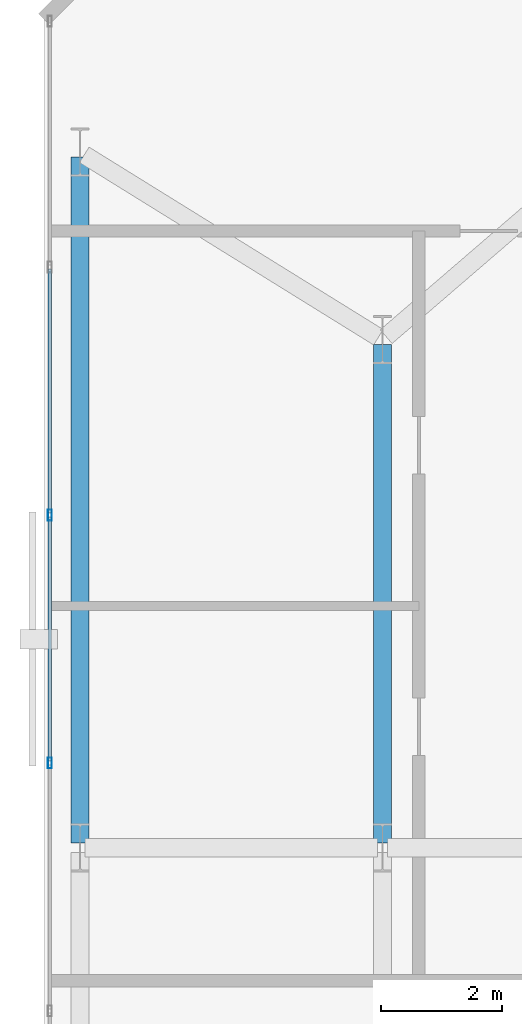
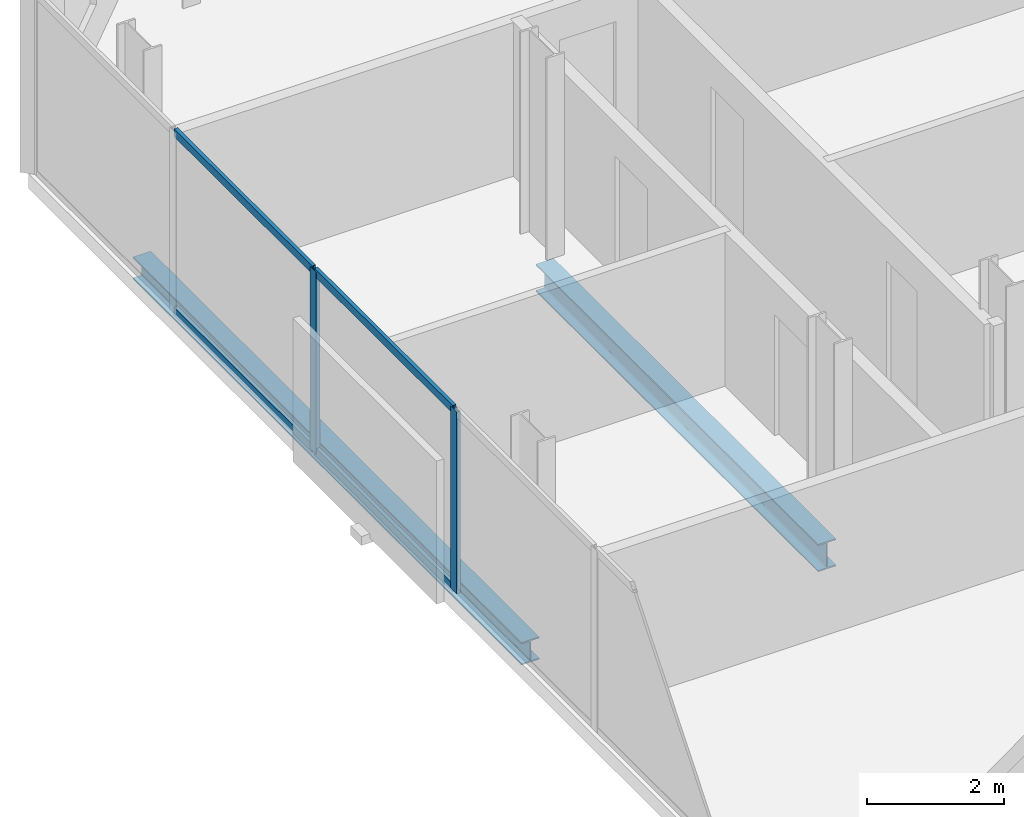
# One storey, part 18 of 33: 6 members, 2 beams, 1 element without a shape of its own.
"""IFC4 building model written with IfcOpenShell, lengths in metres."""

import ifcopenshell
import ifcopenshell.guid

model = None  # the IFC model being written
_history = None  # IfcOwnerHistory: only IFC2X3 demands one
_inside = {}  # id of a spatial element -> (the spatial element, [elements in it])
_under = {}  # id of a project, library or spatial element -> (it, [spatial elements below it])
_declared = {}  # id of a project -> (the project, [libraries it declares])
_typed = {}  # id of a type object -> (the type object, [elements of that type])
_made_of = {}  # id of a material, layer set ... -> (it, [elements and type objects made of it])


def new_model(schema):
    """Start an empty IFC model of exactly this schema.

    Asked for "IFC4X3", IfcOpenShell would pick the latest addendum, in which some entities
    have other attributes; the version numbers below select the first issue.
    IFC2X3 requires an IfcOwnerHistory on every rooted entity: one is made here for all.
    """
    global model, _history
    if schema == "IFC4X3":
        model = ifcopenshell.file(schema_version=(4, 3, 0, 0))
    else:
        model = ifcopenshell.file(schema=schema)
    _inside.clear()
    _under.clear()
    _declared.clear()
    _typed.clear()
    _made_of.clear()
    _history = None
    if model.schema == "IFC2X3":
        org = make("IfcOrganization", Name="unknown")
        user = make(
            "IfcPersonAndOrganization",
            ThePerson=make("IfcPerson", FamilyName="unknown"),
            TheOrganization=org,
        )
        app = make(
            "IfcApplication",
            ApplicationDeveloper=org,
            Version="unknown",
            ApplicationFullName="unknown",
            ApplicationIdentifier="unknown",
        )
        _history = make(
            "IfcOwnerHistory",
            OwningUser=user,
            OwningApplication=app,
            ChangeAction="ADDED",
            CreationDate=0,
        )
    return model


def make(cls, **values):
    """One entity of the class cls with the attributes given. An attribute that is None is left unset."""
    return model.create_entity(
        cls, **{name: value for name, value in values.items() if value is not None}
    )


def rooted(cls, **values):
    """An entity with a GlobalId (a new one), such as an element, a storey or a relation."""
    return make(cls, GlobalId=ifcopenshell.guid.new(), OwnerHistory=_history, **values)


def si_unit(unit_type, name, prefix=None):
    """IfcSIUnit, for example si_unit("LENGTHUNIT", "METRE", prefix="MILLI")."""
    return make("IfcSIUnit", UnitType=unit_type, Prefix=prefix, Name=name)


def assignment(units):
    """IfcUnitAssignment: the units of a project."""
    return None if units is None else make("IfcUnitAssignment", Units=units)


def point(xyz):
    """IfcCartesianPoint."""
    return None if xyz is None else make("IfcCartesianPoint", Coordinates=xyz)


def direction(xyz):
    """IfcDirection."""
    return None if xyz is None else make("IfcDirection", DirectionRatios=xyz)


def frame(location, z_axis=None, x_axis=None):
    """IfcAxis2Placement3D, a coordinate frame: its origin and axes. An axis left out is left unset."""
    return make(
        "IfcAxis2Placement3D",
        Location=point(location),
        Axis=direction(z_axis),
        RefDirection=direction(x_axis),
    )


def frame_2d(location, x_axis=None):
    """IfcAxis2Placement2D, a coordinate frame in the plane: its origin and x axis."""
    return make(
        "IfcAxis2Placement2D", Location=point(location), RefDirection=direction(x_axis)
    )


def origin():
    """The frame at (0, 0, 0) with its axes left unset."""
    return frame((0.0, 0.0, 0.0))


def origin_2d():
    """The frame at (0, 0) in the plane with its x axis left unset."""
    return frame_2d((0.0, 0.0))


def place(relative_to, where):
    """IfcLocalPlacement: puts the frame where relative to a parent placement (None: the world)."""
    return make(
        "IfcLocalPlacement", PlacementRelTo=relative_to, RelativePlacement=where
    )


def context(
    kind, dimensions, precision=None, world=None, true_north=None, identifier=None
):
    """IfcGeometricRepresentationContext, for example the 3D "Model" context."""
    return make(
        "IfcGeometricRepresentationContext",
        ContextIdentifier=identifier,
        ContextType=kind,
        CoordinateSpaceDimension=dimensions,
        Precision=precision,
        WorldCoordinateSystem=world,
        TrueNorth=true_north,
    )


def subcontext(parent, identifier, kind, view, scale=None):
    """IfcGeometricRepresentationSubContext, for example "Body" below "Model"."""
    return make(
        "IfcGeometricRepresentationSubContext",
        ContextIdentifier=identifier,
        ContextType=kind,
        ParentContext=parent,
        TargetScale=scale,
        TargetView=view,
    )


def project(units=None, contexts=None):
    """IfcProject with its units and contexts."""
    return rooted(
        "IfcProject",
        Name="project",
        RepresentationContexts=contexts,
        UnitsInContext=assignment(units),
    )


def spatial(cls, under=None, at=None, **own):
    """A site, building, storey or space (cls), placed at a placement, below another one or the project."""
    s = rooted(cls, ObjectPlacement=at, **own)
    if under is not None:
        _under.setdefault(under.id(), (under, []))[1].append(s)
    return s


def profile(cls, at=None, kind="AREA", **sizes):
    """A parametric profile (cls). Its sizes go by their IFC names, for example OverallWidth=200.0."""
    return make(cls, ProfileType=kind, Position=at, **sizes)


def hollow_rectangle(**sizes):
    """IfcRectangleHollowProfileDef."""
    return profile("IfcRectangleHollowProfileDef", **sizes)


def i_section(**sizes):
    """IfcIShapeProfileDef."""
    return profile("IfcIShapeProfileDef", **sizes)


def extrude(swept, where, along, depth):
    """IfcExtrudedAreaSolid: the profile swept, set in the frame where, extruded along a direction by depth."""
    return make(
        "IfcExtrudedAreaSolid",
        SweptArea=swept,
        Position=where,
        ExtrudedDirection=direction(along),
        Depth=depth,
    )


def shape(context_of_items, identifier, shape_type, items):
    """IfcShapeRepresentation: the items that make up one representation, for example the "Body"."""
    return make(
        "IfcShapeRepresentation",
        ContextOfItems=context_of_items,
        RepresentationIdentifier=identifier,
        RepresentationType=shape_type,
        Items=items,
    )


def material(Name=None, Category=None):
    """IfcMaterial."""
    return make("IfcMaterial", Name=Name, Category=Category)


def layer(
    of_material, thickness, ventilated=None, Name=None, Category=None, Priority=None
):
    """IfcMaterialLayer: one layer of a wall or slab, of a material (None: an air gap)."""
    return make(
        "IfcMaterialLayer",
        Material=of_material,
        LayerThickness=thickness,
        IsVentilated=ventilated,
        Name=Name,
        Category=Category,
        Priority=Priority,
    )


def layer_set(layers, Name=None):
    """IfcMaterialLayerSet."""
    return make("IfcMaterialLayerSet", MaterialLayers=layers, LayerSetName=Name)


def material_profile(
    of_material, cross_section, Name=None, Category=None, Priority=None
):
    """IfcMaterialProfile: a cross section and its material."""
    return make(
        "IfcMaterialProfile",
        Name=Name,
        Material=of_material,
        Profile=cross_section,
        Priority=Priority,
        Category=Category,
    )


def profile_set(profiles, Name=None, composite=None):
    """IfcMaterialProfileSet."""
    return make(
        "IfcMaterialProfileSet",
        Name=Name,
        MaterialProfiles=profiles,
        CompositeProfile=composite,
    )


def made_of(thing, what):
    """Note that an element or type object is made of a material, layer set ...; save() writes the relation."""
    if what is not None:
        _made_of.setdefault(what.id(), (what, []))[1].append(thing)
    return thing


def type_object(cls, material=None, **own):
    """A type object (cls), such as IfcWallType, which elements share."""
    return made_of(rooted(cls, **own), material)


def element(
    cls,
    number,
    at=None,
    inside=None,
    cuts=None,
    type_object=None,
    material=None,
    context=None,
    identifier="Body",
    shape_type=None,
    held_by="IfcProductDefinitionShape",
    body=None,
    shapes=None,
    **own,
):
    """One element of the class cls, such as IfcWall. Its Tag is "e" and its number.

    at: its placement. inside: the storey or other place that contains it. cuts: it is an
    opening in that element (IfcRelVoidsElement). A single representation is given by context,
    identifier, shape_type and body (its items); several are given by shapes. held_by: the class
    of the entity that holds the representations. save() writes the other relations.
    """
    e = rooted(cls, Tag="e%d" % number, ObjectPlacement=at, **own)
    if body is not None:
        shapes = [shape(context, identifier, shape_type, body)]
    if shapes is not None:
        e.Representation = make(held_by, Representations=shapes)
    if inside is not None:
        _inside.setdefault(inside.id(), (inside, []))[1].append(e)
    if cuts is not None:
        rooted(
            "IfcRelVoidsElement", RelatingBuildingElement=cuts, RelatedOpeningElement=e
        )
    if type_object is not None:
        _typed.setdefault(type_object.id(), (type_object, []))[1].append(e)
    return made_of(e, material)


def aggregate(whole, parts):
    """IfcRelAggregates: a whole, such as a stair, and the parts it consists of."""
    return rooted("IfcRelAggregates", RelatingObject=whole, RelatedObjects=parts)


def save(model, path):
    """Write the relations noted so far, then the file.

    IfcRelAggregates (storeys below a building ...), IfcRelContainedInSpatialStructure (elements
    in a storey), IfcRelDefinesByType, IfcRelAssociatesMaterial and IfcRelDeclares: one each for
    every whole, place, type object, material and project.
    """
    for whole, parts in _under.values():
        aggregate(whole, parts)
    for where, things in _inside.values():
        rooted(
            "IfcRelContainedInSpatialStructure",
            RelatedElements=things,
            RelatingStructure=where,
        )
    for kind, things in _typed.values():
        rooted("IfcRelDefinesByType", RelatedObjects=things, RelatingType=kind)
    for what, things in _made_of.values():
        rooted("IfcRelAssociatesMaterial", RelatedObjects=things, RelatingMaterial=what)
    for by, libraries in _declared.values():
        rooted("IfcRelDeclares", RelatingContext=by, RelatedDefinitions=libraries)
    model.write(path)


model = new_model("IFC4")

# Units and contexts
model_context = context("Model", 3, precision=1e-05, world=origin(), true_north=direction((0.0, 1.0)))
body_context = subcontext(model_context, "Body", "Model", "MODEL_VIEW")
ifc_project = project(units=[si_unit("LENGTHUNIT", "METRE"), si_unit("AREAUNIT", "SQUARE_METRE"), si_unit("VOLUMEUNIT", "CUBIC_METRE"), si_unit("PLANEANGLEUNIT", "RADIAN"), si_unit("MASSUNIT", "GRAM", prefix="KILO")], contexts=[model_context])

# Site, building, storey
site_placement = place(None, origin())
site = spatial("IfcSite", under=ifc_project, at=site_placement, CompositionType="ELEMENT")
building_placement = place(site_placement, origin())
building = spatial("IfcBuilding", under=site, at=building_placement, Name="Catumbela Crestline Tower", CompositionType="ELEMENT")
storey_placement = place(building_placement, frame((0.0, 0.0, 76.2)))
storey = spatial("IfcBuildingStorey", under=building, at=storey_placement, Name="L19", CompositionType="ELEMENT", Elevation=76.2)

# Beam
ifc_material_1 = material(Name="Structural steel S355J2", Category="steel")
ifc_material_profile_1 = material_profile(ifc_material_1, i_section(OverallWidth=0.3, OverallDepth=0.49, WebThickness=0.012, FlangeThickness=0.023, FilletRadius=0.027, at=origin_2d()), Name="HEA 500")
ifc_profile_set_1 = profile_set([ifc_material_profile_1], Name="Structural steel S355J2")
beam_type_1 = type_object("IfcBeamType", Name="BG-HEA500", PredefinedType="BEAM", material=ifc_profile_set_1)
beam_1_placement = place(storey_placement, frame((5.6, 30.88, -0.505), z_axis=(0.0, 1.0, 0.0), x_axis=(-1.0, 0.0, 0.0)))
element("IfcBeam", 1, at=beam_1_placement, inside=storey, type_object=beam_type_1, Name="L19 Beam BM-L19-SN28", PredefinedType="BEAM", context=body_context, shape_type="SweptSolid", body=[
    extrude(i_section(OverallWidth=0.3, OverallDepth=0.49, WebThickness=0.012, FlangeThickness=0.023, FilletRadius=0.027, at=origin_2d()), origin(), (0.0, 0.0, 1.0), 8.24),
])

# Curtain wall, members
ifc_material_2 = material(Name="Aluminium alloy AW-6060-T66", Category="aluminium")
ifc_layer = layer(ifc_material_2, 0.18, Name="Aluminium alloy AW-6060-T66")
ifc_layer_set = layer_set([ifc_layer], Name="Aluminium alloy AW-6060-T66")
curtain_wall_type = type_object("IfcCurtainWallType", Name="CWU-Z1", PredefinedType="USERDEFINED", material=ifc_layer_set)
curtain_wall_placement = place(storey_placement, origin())
curtain_wall = element("IfcCurtainWall", 2, at=curtain_wall_placement, inside=storey, type_object=curtain_wall_type, Name="L19 Unitised Curtain Wall CW-L19-E9S1", ObjectType="UNITISED", PredefinedType="USERDEFINED")
ifc_material_profile_2 = material_profile(ifc_material_2, hollow_rectangle(XDim=0.065, YDim=0.18, WallThickness=0.004, at=origin_2d()), Name="ALU 180x65x4")
ifc_profile_set_2 = profile_set([ifc_material_profile_2], Name="Aluminium alloy AW-6060-T66")
member_type_1 = type_object("IfcMemberType", Name="MUL-180X65", PredefinedType="MULLION", material=ifc_profile_set_2)
member_1_placement = place(storey_placement, frame((0.1, 36.3, 0.0), z_axis=(0.0, 0.0, 1.0), x_axis=(1.0, 0.0, 0.0)))
member_1 = element("IfcMember", 3, at=member_1_placement, type_object=member_type_1, Name="CWU-Z1 mullion 3", PredefinedType="MULLION", context=body_context, shape_type="SweptSolid", body=[
    extrude(hollow_rectangle(XDim=0.065, YDim=0.18, WallThickness=0.004, at=origin_2d()), origin(), (0.0, 0.0, 1.0), 3.24),
])
member_2_placement = place(storey_placement, frame((0.1, 32.2, 0.0), z_axis=(0.0, 0.0, 1.0), x_axis=(1.0, 0.0, 0.0)))
member_2 = element("IfcMember", 4, at=member_2_placement, type_object=member_type_1, Name="CWU-Z1 mullion 4", PredefinedType="MULLION", context=body_context, shape_type="SweptSolid", body=[
    extrude(hollow_rectangle(XDim=0.065, YDim=0.18, WallThickness=0.004, at=origin_2d()), origin(), (0.0, 0.0, 1.0), 3.24),
])

# Beam
ifc_material_profile_3 = material_profile(ifc_material_1, i_section(OverallWidth=0.3, OverallDepth=0.4, WebThickness=0.0135, FlangeThickness=0.024, FilletRadius=0.027, at=origin_2d()), Name="HEB 400")
ifc_profile_set_3 = profile_set([ifc_material_profile_3], Name="Structural steel S355J2")
beam_type_2 = type_object("IfcBeamType", Name="BS-HEB400", PredefinedType="SPANDREL", material=ifc_profile_set_3)
beam_2_placement = place(storey_placement, frame((0.6, 30.88, -0.46), z_axis=(0.0, 1.0, 0.0), x_axis=(-1.0, 0.0, 0.0)))
element("IfcBeam", 5, at=beam_2_placement, inside=storey, type_object=beam_type_2, Name="L19 Spandrel SP-L19-SN26", PredefinedType="SPANDREL", context=body_context, shape_type="SweptSolid", body=[
    extrude(i_section(OverallWidth=0.3, OverallDepth=0.4, WebThickness=0.0135, FlangeThickness=0.024, FilletRadius=0.027, at=origin_2d()), origin(), (0.0, 0.0, 1.0), 11.34),
])

# Member
ifc_material_profile_4 = material_profile(ifc_material_2, hollow_rectangle(XDim=0.06, YDim=0.14, WallThickness=0.004, at=origin_2d()), Name="ALU 140x60x4")
ifc_profile_set_4 = profile_set([ifc_material_profile_4], Name="Aluminium alloy AW-6060-T66")
member_type_2 = type_object("IfcMemberType", Name="TRN-140X60", PredefinedType="USERDEFINED", material=ifc_profile_set_4)
member_3_placement = place(storey_placement, frame((0.1, 40.3675, 0.03), z_axis=(0.0, -1.0, 0.0), x_axis=(1.0, 0.0, 0.0)))
member_3 = element("IfcMember", 6, at=member_3_placement, type_object=member_type_2, Name="CWU-Z1 transom 2.1", ObjectType="TRANSOM", PredefinedType="USERDEFINED", context=body_context, shape_type="SweptSolid", body=[
    extrude(hollow_rectangle(XDim=0.06, YDim=0.14, WallThickness=0.004, at=origin_2d()), origin(), (0.0, 0.0, 1.0), 4.035),
])

member_4_placement = place(storey_placement, frame((0.1, 40.3675, 3.21), z_axis=(0.0, -1.0, 0.0), x_axis=(1.0, 0.0, 0.0)))
member_4 = element("IfcMember", 7, at=member_4_placement, type_object=member_type_2, Name="CWU-Z1 transom 2.2", ObjectType="TRANSOM", PredefinedType="USERDEFINED", context=body_context, shape_type="SweptSolid", body=[
    extrude(hollow_rectangle(XDim=0.06, YDim=0.14, WallThickness=0.004, at=origin_2d()), origin(), (0.0, 0.0, 1.0), 4.035),
])

member_5_placement = place(storey_placement, frame((0.1, 36.2675, 0.03), z_axis=(0.0, -1.0, 0.0), x_axis=(1.0, 0.0, 0.0)))
member_5 = element("IfcMember", 8, at=member_5_placement, type_object=member_type_2, Name="CWU-Z1 transom 3.1", ObjectType="TRANSOM", PredefinedType="USERDEFINED", context=body_context, shape_type="SweptSolid", body=[
    extrude(hollow_rectangle(XDim=0.06, YDim=0.14, WallThickness=0.004, at=origin_2d()), origin(), (0.0, 0.0, 1.0), 4.035),
])

member_6_placement = place(storey_placement, frame((0.1, 36.2675, 3.21), z_axis=(0.0, -1.0, 0.0), x_axis=(1.0, 0.0, 0.0)))
member_6 = element("IfcMember", 9, at=member_6_placement, type_object=member_type_2, Name="CWU-Z1 transom 3.2", ObjectType="TRANSOM", PredefinedType="USERDEFINED", context=body_context, shape_type="SweptSolid", body=[
    extrude(hollow_rectangle(XDim=0.06, YDim=0.14, WallThickness=0.004, at=origin_2d()), origin(), (0.0, 0.0, 1.0), 4.035),
])

aggregate(curtain_wall, [member_1, member_2, member_3, member_4, member_5, member_6])

save(model, "model.ifc")
